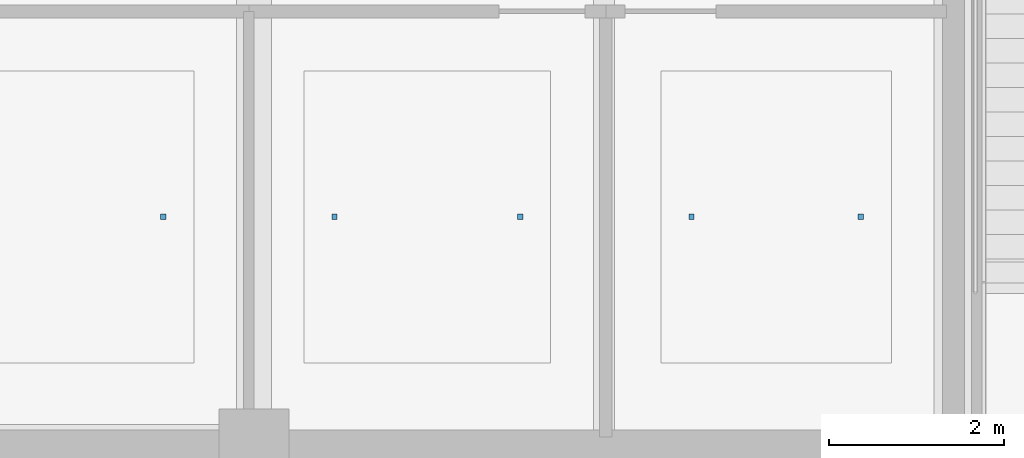
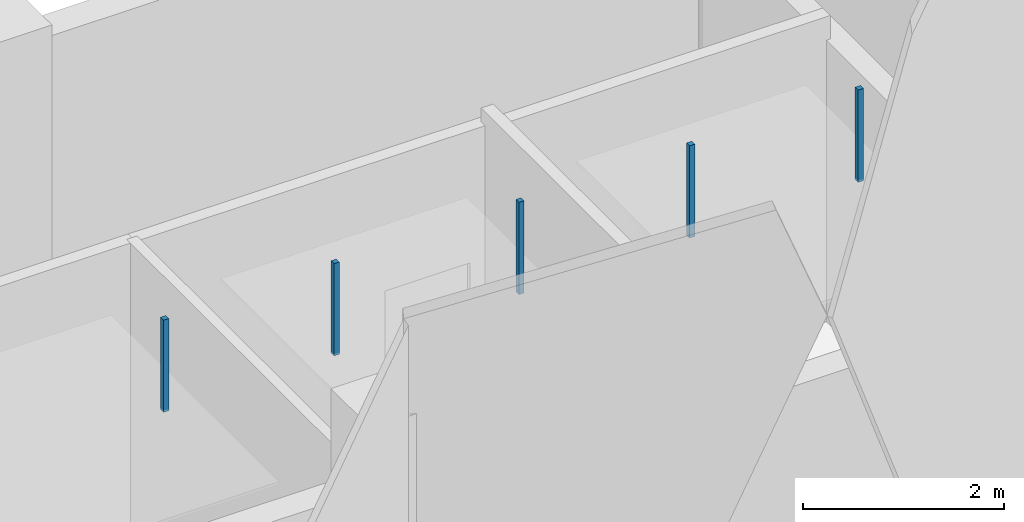
# One storey, part 80 of 107: 5 discrete accessories.
"""IFC4 building model written with IfcOpenShell, lengths in metres."""

from ifc_helpers import new_model, si_unit, direction, frame, origin, origin_2d, place, context, subcontext, project, spatial, rectangle, extrude, material, type_object, element, save


model = new_model("IFC4")

# Units and contexts
model_context = context("Model", 3, precision=1e-05, world=origin(), true_north=direction((0.0, 1.0)))
body_context = subcontext(model_context, "Body", "Model", "MODEL_VIEW")
ifc_project = project(units=[si_unit("LENGTHUNIT", "METRE"), si_unit("AREAUNIT", "SQUARE_METRE"), si_unit("VOLUMEUNIT", "CUBIC_METRE"), si_unit("PLANEANGLEUNIT", "RADIAN"), si_unit("MASSUNIT", "GRAM", prefix="KILO")], contexts=[model_context])

# Site, building, storey
site_placement = place(None, origin())
site = spatial("IfcSite", under=ifc_project, at=site_placement, CompositionType="ELEMENT")
building_placement = place(site_placement, origin())
building = spatial("IfcBuilding", under=site, at=building_placement, Name="Khelvaren Railside Concert Hall", CompositionType="ELEMENT")
storey_placement = place(building_placement, frame((0.0, 0.0, 15.0)))
storey = spatial("IfcBuildingStorey", under=building, at=storey_placement, Name="L03", CompositionType="ELEMENT", Elevation=15.0)

# Discrete accessories
ifc_material = material(Name="Galvanised steel acoustic ceiling hanger rod", Category="steel")
discrete_accessory_type = type_object("IfcDiscreteAccessoryType", Name="BRK62", PredefinedType="BRACKET", material=ifc_material)
for number, where, z_axis, x_axis, name in (
    (1, (30.9599609375, 2.60009765625, 3.429931640625), (0.0, 0.0, 1.0), (1.0, 0.0, 0.0), "Acoustic Ceiling Suspension Bracket 30-2"),
    (2, (32.919921875, 2.60009765625, 3.429931640625), (0.0, 0.0, 1.0), (1.0, 0.0, 0.0), "Acoustic Ceiling Suspension Bracket 31-1"),
    (3, (35.04296875, 2.60009765625, 3.429931640625), (0.0, 0.0, 1.0), (1.0, 0.0, 0.0), "Acoustic Ceiling Suspension Bracket 31-2"),
    (4, (37.0029296875, 2.60009765625, 3.429931640625), (0.0, 0.0, 1.0), (1.0, 0.0, 0.0), "Acoustic Ceiling Suspension Bracket 32-1"),
    (5, (38.93994140625, 2.60009765625, 3.429931640625), (0.0, 0.0, 1.0), (1.0, 0.0, 0.0), "Acoustic Ceiling Suspension Bracket 32-2"),
):
    element("IfcDiscreteAccessory", number, at=place(storey_placement, frame(where, z_axis=z_axis, x_axis=x_axis)), inside=storey, type_object=discrete_accessory_type, Name=name, PredefinedType="BRACKET", context=body_context, shape_type="SweptSolid", body=[
        extrude(rectangle(XDim=0.06005859375, YDim=0.06005859375, at=origin_2d()), origin(), (0.0, 0.0, 1.0), 1.1201171875),
    ])

save(model, "model.ifc")
